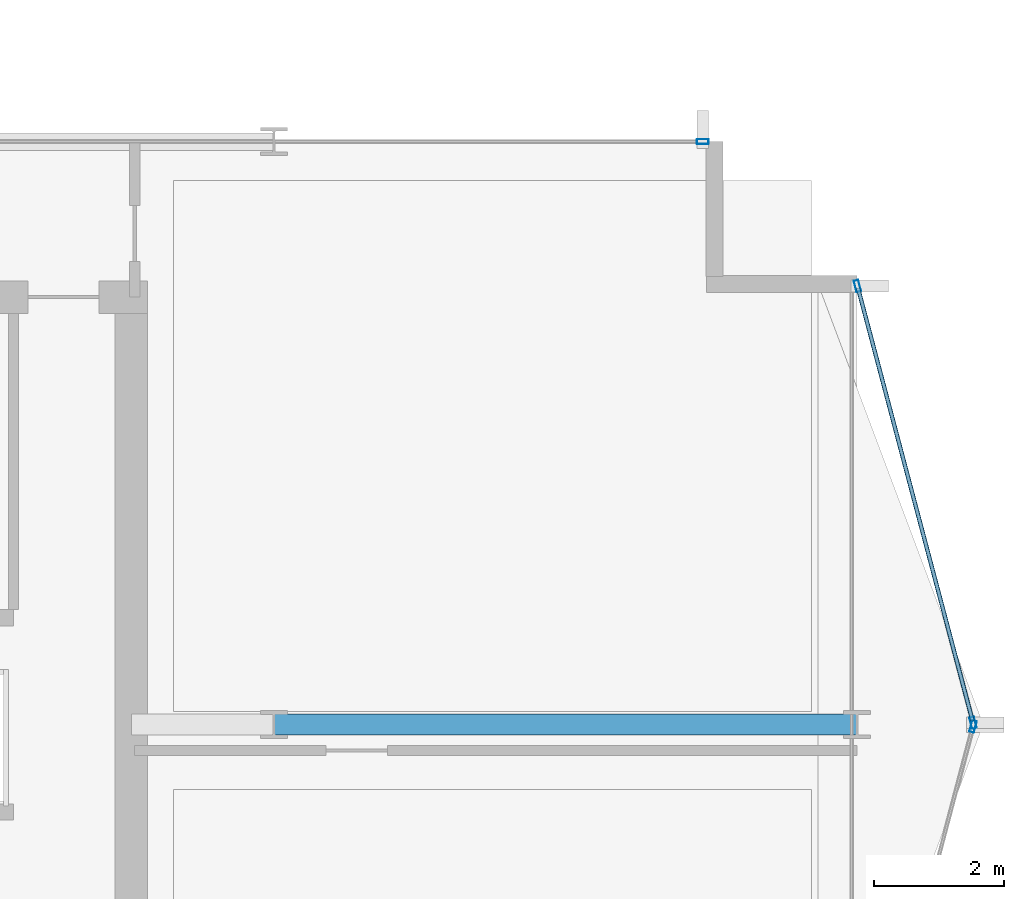
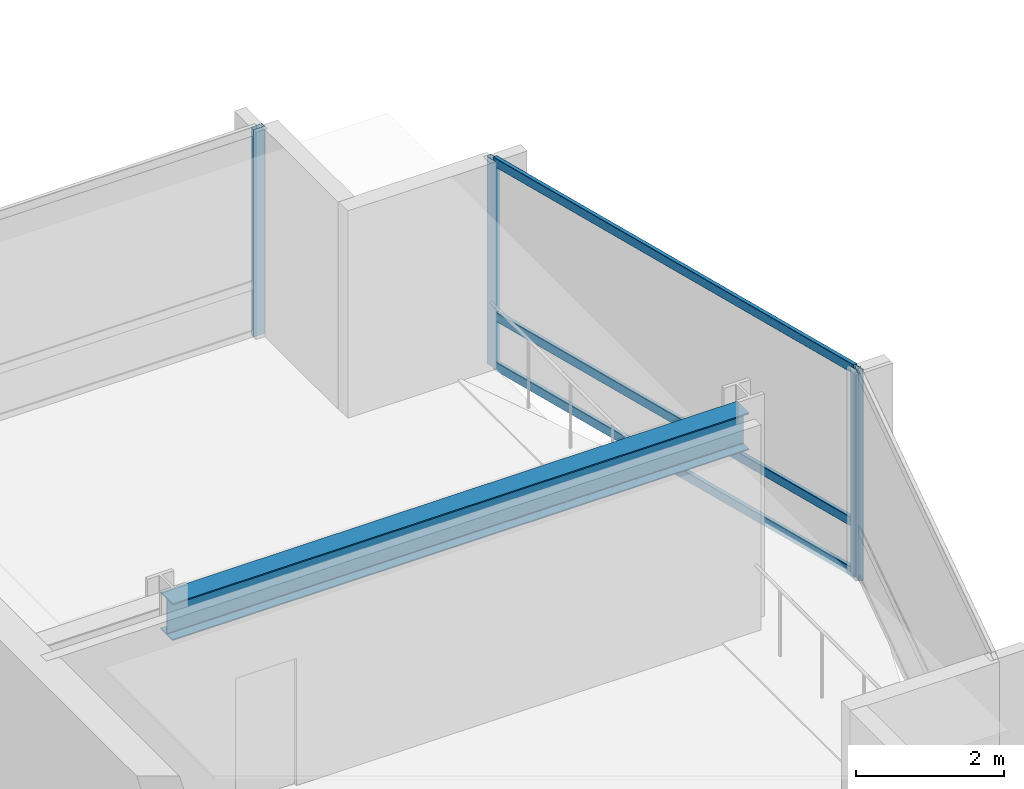
# One storey, part 14 of 28: 7 members, 1 beam, 3 elements without a shape of their own.
"""IFC4 building model written with IfcOpenShell, lengths in metres."""

from ifc_helpers import new_model, si_unit, direction, frame, origin, origin_2d, place, context, subcontext, project, spatial, hollow_rectangle, i_section, extrude, material, layer, layer_set, material_profile, profile_set, type_object, element, aggregate, save


model = new_model("IFC4")

# Units and contexts
model_context = context("Model", 3, precision=1e-05, world=origin(), true_north=direction((0.0, 1.0)))
body_context = subcontext(model_context, "Body", "Model", "MODEL_VIEW")
ifc_project = project(units=[si_unit("LENGTHUNIT", "METRE"), si_unit("AREAUNIT", "SQUARE_METRE"), si_unit("VOLUMEUNIT", "CUBIC_METRE"), si_unit("PLANEANGLEUNIT", "RADIAN"), si_unit("MASSUNIT", "GRAM", prefix="KILO")], contexts=[model_context])

# Site, building, storey
site_placement = place(None, origin())
site = spatial("IfcSite", under=ifc_project, at=site_placement, CompositionType="ELEMENT")
building_placement = place(site_placement, origin())
building = spatial("IfcBuilding", under=site, at=building_placement, Name="Solvaryn Broadcast Tower", CompositionType="ELEMENT")
storey_placement = place(building_placement, frame((0.0, 0.0, 154.39990234375)))
storey = spatial("IfcBuildingStorey", under=building, at=storey_placement, Name="L38", CompositionType="ELEMENT", Elevation=154.39990234375)

# Beam
ifc_material_1 = material(Name="Steel ASTM A992 Grade 50", Category="steel")
ifc_material_profile_1 = material_profile(ifc_material_1, i_section(OverallWidth=0.323974609375, OverallDepth=0.611083984375, WebThickness=0.0126953125, FlangeThickness=0.01904296875, FilletRadius=0.014892578125, at=origin_2d()))
ifc_profile_set_1 = profile_set([ifc_material_profile_1], Name="Steel ASTM A992 Grade 50")
beam_type = type_object("IfcBeamType", Name="BM-B1-W24X104", PredefinedType="BEAM", material=ifc_profile_set_1)
beam_placement = place(storey_placement, frame((45.0, 18.0, 3.114501953125), z_axis=(1.0, 0.0, 0.0), x_axis=(0.0, 1.0, 0.0)))
element("IfcBeam", 1, at=beam_placement, inside=storey, type_object=beam_type, Name="L38 Primary Beam X (45-54 @ Y=18)", PredefinedType="BEAM", context=body_context, shape_type="SweptSolid", body=[
    extrude(i_section(OverallWidth=0.323974609375, OverallDepth=0.611083984375, WebThickness=0.0126953125, FlangeThickness=0.01904296875, FilletRadius=0.014892578125, at=origin_2d()), origin(), (0.0, 0.0, 1.0), 9.0),
])

# Curtain wall, members
ifc_material_2 = material(Name="Aluminium and Terracotta Unitised Curtain Wall", Category="masonry")
ifc_layer = layer(ifc_material_2, 0.199951171875)
ifc_layer_set = layer_set([ifc_layer], Name="CW-SYS2-LOWMID")
curtain_wall_type = type_object("IfcCurtainWallType", Name="CW-SYS2-LOWMID", PredefinedType="NOTDEFINED", material=ifc_layer_set)
curtain_wall_1_placement = place(storey_placement, origin())
curtain_wall_1 = element("IfcCurtainWall", 2, at=curtain_wall_1_placement, inside=storey, type_object=curtain_wall_type, Name="L38 Curtain Wall ET1", PredefinedType="NOTDEFINED")
ifc_material_3 = material(Name="Anodised Aluminium 6063-T6", Category="aluminium")
ifc_material_profile_2 = material_profile(ifc_material_3, hollow_rectangle(XDim=0.074951171875, YDim=0.179931640625, WallThickness=0.00390625, InnerFilletRadius=0.00390625, OuterFilletRadius=0.008056640625, at=origin_2d()))
ifc_profile_set_2 = profile_set([ifc_material_profile_2], Name="Anodised Aluminium 6063-T6")
member_type_1 = type_object("IfcMemberType", Name="CW-MUL-180", PredefinedType="MULLION", material=ifc_profile_set_2)
member_1_placement = place(storey_placement, frame((54.007568359375, 24.77099609375, 0.0), z_axis=(0.0, 0.0, 1.0), x_axis=(0.966705227863, 0.25589256031, 0.0)))
member_1 = element("IfcMember", 3, at=member_1_placement, type_object=member_type_1, Name="CWS2 mullion 1", PredefinedType="MULLION", context=body_context, shape_type="SweptSolid", body=[
    extrude(hollow_rectangle(XDim=0.074951171875, YDim=0.179931640625, WallThickness=0.00390625, InnerFilletRadius=0.00390625, OuterFilletRadius=0.008056640625, at=origin_2d()), origin(), (0.0, 0.0, 1.0), 3.420166015625),
])
member_2_placement = place(storey_placement, frame((55.792236328125, 18.029052734375, 0.0), z_axis=(0.0, 0.0, 1.0), x_axis=(0.966705227863, 0.25589256031, 0.0)))
member_2 = element("IfcMember", 4, at=member_2_placement, type_object=member_type_1, Name="CWS2 mullion 2", PredefinedType="MULLION", context=body_context, shape_type="SweptSolid", body=[
    extrude(hollow_rectangle(XDim=0.074951171875, YDim=0.179931640625, WallThickness=0.00390625, InnerFilletRadius=0.00390625, OuterFilletRadius=0.008056640625, at=origin_2d()), origin(), (0.0, 0.0, 1.0), 3.420166015625),
])

# Curtain wall, member
curtain_wall_2_placement = place(storey_placement, origin())
curtain_wall_2 = element("IfcCurtainWall", 5, at=curtain_wall_2_placement, inside=storey, type_object=curtain_wall_type, Name="L38 Curtain Wall ET2", PredefinedType="NOTDEFINED")
member_3_placement = place(storey_placement, frame((55.792236328125, 17.970947265625, 0.0), z_axis=(0.0, 0.0, 1.0), x_axis=(0.966705227863, -0.25589256031, 0.0)))
member_3 = element("IfcMember", 6, at=member_3_placement, type_object=member_type_1, Name="CWS2 mullion 1", PredefinedType="MULLION", context=body_context, shape_type="SweptSolid", body=[
    extrude(hollow_rectangle(XDim=0.074951171875, YDim=0.179931640625, WallThickness=0.00390625, InnerFilletRadius=0.00390625, OuterFilletRadius=0.008056640625, at=origin_2d()), origin(), (0.0, 0.0, 1.0), 3.420166015625),
])
aggregate(curtain_wall_2, [member_3])

curtain_wall_3_placement = place(storey_placement, origin())
curtain_wall_3 = element("IfcCurtainWall", 7, at=curtain_wall_3_placement, inside=storey, type_object=curtain_wall_type, Name="L38 Curtain Wall IH", PredefinedType="NOTDEFINED")
member_4_placement = place(storey_placement, frame((51.6201171875, 27.0, 0.0), z_axis=(0.0, 0.0, 1.0), x_axis=(0.0, 1.0, 0.0)))
member_4 = element("IfcMember", 8, at=member_4_placement, type_object=member_type_1, Name="CWS2 mullion 2", PredefinedType="MULLION", context=body_context, shape_type="SweptSolid", body=[
    extrude(hollow_rectangle(XDim=0.074951171875, YDim=0.179931640625, WallThickness=0.00390625, InnerFilletRadius=0.00390625, OuterFilletRadius=0.008056640625, at=origin_2d()), origin(), (0.0, 0.0, 1.0), 3.420166015625),
])
aggregate(curtain_wall_3, [member_4])

# Member
ifc_material_4 = material(Name="Anodised Aluminium 6063-T6", Category="aluminium")
ifc_material_profile_3 = material_profile(ifc_material_4, hollow_rectangle(XDim=0.06494140625, YDim=0.14990234375, WallThickness=0.00390625, InnerFilletRadius=0.00390625, OuterFilletRadius=0.008056640625, at=origin_2d()))
ifc_profile_set_3 = profile_set([ifc_material_profile_3], Name="Anodised Aluminium 6063-T6")
member_type_2 = type_object("IfcMemberType", Name="CW-TRN-150", PredefinedType="USERDEFINED", material=ifc_profile_set_3)
member_5_placement = place(storey_placement, frame((54.015380859375, 24.741943359375, 0.030029296875), z_axis=(0.255897413051, -0.966703943301, 0.0), x_axis=(0.966703943301, 0.255897413051, 0.0)))
member_5 = element("IfcMember", 9, at=member_5_placement, type_object=member_type_2, Name="CWS2 transom 1.1", ObjectType="TRANSOM", PredefinedType="USERDEFINED", context=body_context, shape_type="SweptSolid", body=[
    extrude(hollow_rectangle(XDim=0.06494140625, YDim=0.14990234375, WallThickness=0.00390625, InnerFilletRadius=0.00390625, OuterFilletRadius=0.008056640625, at=origin_2d()), origin(), (0.0, 0.0, 1.0), 6.9140625),
])

member_6_placement = place(storey_placement, frame((54.015380859375, 24.741943359375, 0.85009765625), z_axis=(0.255897413051, -0.966703943301, 0.0), x_axis=(0.966703943301, 0.255897413051, 0.0)))
member_6 = element("IfcMember", 10, at=member_6_placement, type_object=member_type_2, Name="CWS2 transom 1.2", ObjectType="TRANSOM", PredefinedType="USERDEFINED", context=body_context, shape_type="SweptSolid", body=[
    extrude(hollow_rectangle(XDim=0.06494140625, YDim=0.14990234375, WallThickness=0.00390625, InnerFilletRadius=0.00390625, OuterFilletRadius=0.008056640625, at=origin_2d()), origin(), (0.0, 0.0, 1.0), 6.9140625),
])

member_7_placement = place(storey_placement, frame((54.015380859375, 24.741943359375, 3.39013671875), z_axis=(0.255897413051, -0.966703943301, 0.0), x_axis=(0.966703943301, 0.255897413051, 0.0)))
member_7 = element("IfcMember", 11, at=member_7_placement, type_object=member_type_2, Name="CWS2 transom 1.3", ObjectType="TRANSOM", PredefinedType="USERDEFINED", context=body_context, shape_type="SweptSolid", body=[
    extrude(hollow_rectangle(XDim=0.06494140625, YDim=0.14990234375, WallThickness=0.00390625, InnerFilletRadius=0.00390625, OuterFilletRadius=0.008056640625, at=origin_2d()), origin(), (0.0, 0.0, 1.0), 6.9140625),
])

aggregate(curtain_wall_1, [member_1, member_2, member_5, member_6, member_7])

save(model, "model.ifc")
